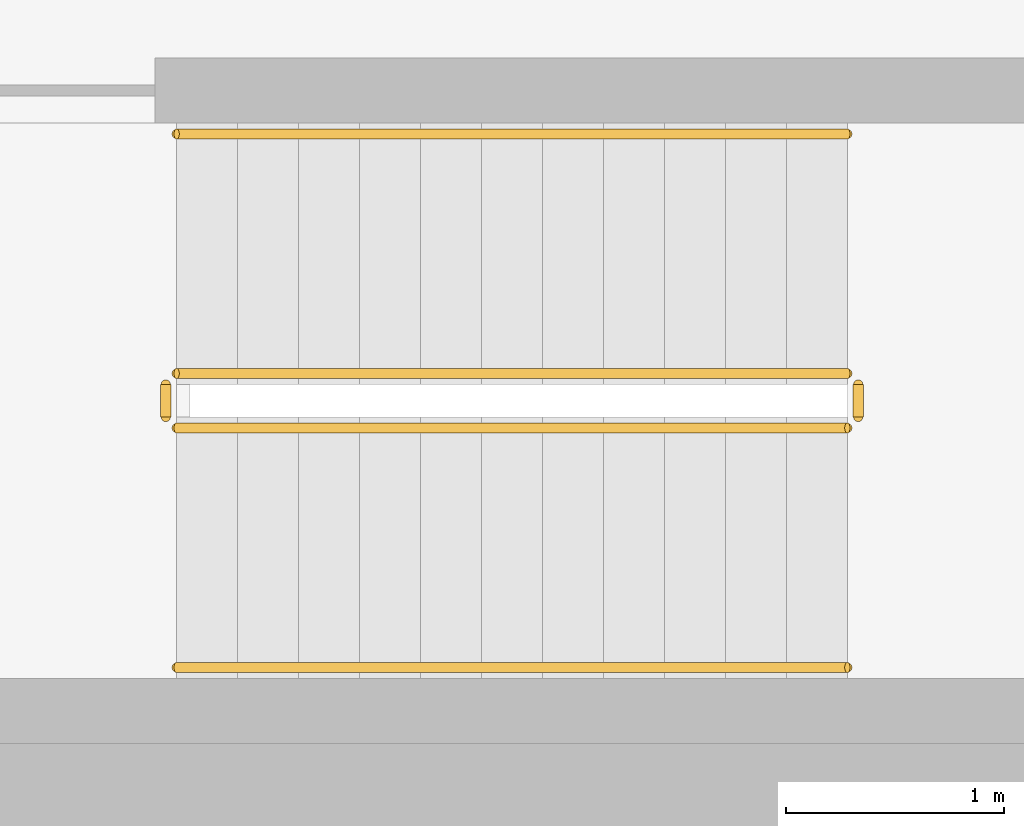
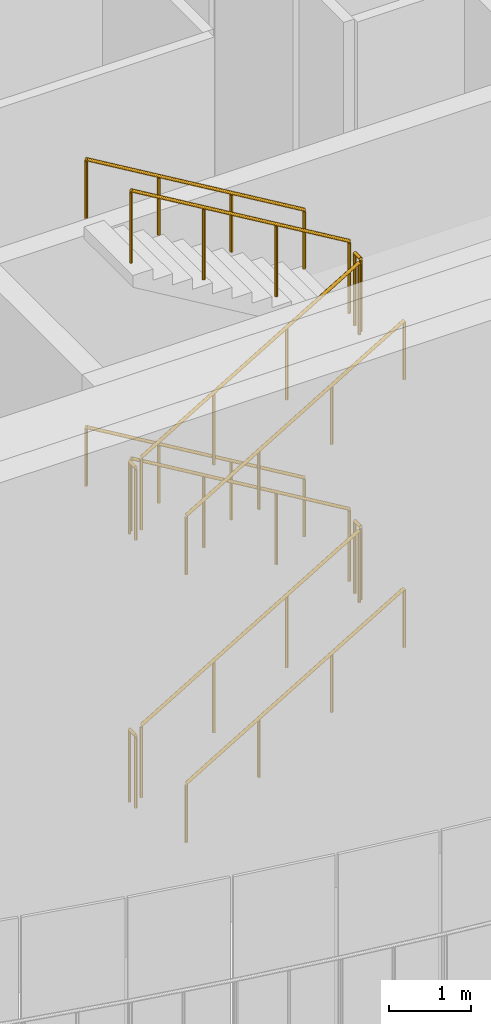
# One storey, part 11 of 14: 12 railings.
"""IFC4 building model written with IfcOpenShell, lengths in metres."""

from ifc_helpers import new_model, si_unit, direction, frame, origin, origin_2d, place, context, subcontext, project, spatial, circle, extrude, material, type_object, element, save


model = new_model("IFC4")

# Units and contexts
model_context = context("Model", 3, precision=1e-05, world=origin(), true_north=direction((0.0, 1.0)))
body_context = subcontext(model_context, "Body", "Model", "MODEL_VIEW")
ifc_project = project(units=[si_unit("LENGTHUNIT", "METRE"), si_unit("AREAUNIT", "SQUARE_METRE"), si_unit("VOLUMEUNIT", "CUBIC_METRE"), si_unit("PLANEANGLEUNIT", "RADIAN"), si_unit("MASSUNIT", "GRAM", prefix="KILO")], contexts=[model_context])

# Site, building, storey
site_placement = place(None, origin())
site = spatial("IfcSite", under=ifc_project, at=site_placement, CompositionType="ELEMENT")
building_placement = place(site_placement, origin())
building = spatial("IfcBuilding", under=site, at=building_placement, Name="Brevane Broadcast Tower", CompositionType="ELEMENT")
storey_placement = place(building_placement, frame((0.0, 0.0, 256.199951171875)))
storey = spatial("IfcBuildingStorey", under=building, at=storey_placement, Name="L65", CompositionType="ELEMENT", Elevation=256.199951171875)

# Railings
ifc_material = material(Name="Steel S355", Category="steel")
railing_type_1 = type_object("IfcRailingType", Name="Exit stair guard", PredefinedType="GUARDRAIL", material=ifc_material)
railing_1_placement = place(storey_placement, frame((17.300048828125, 2.64990234375, 0.166748046875)))
element("IfcRailing", 1, at=railing_1_placement, inside=storey, type_object=railing_type_1, Name="L65 ST-2 stair guard 1", PredefinedType="GUARDRAIL", context=body_context, shape_type="SweptSolid", body=[
    extrude(circle(Radius=0.02392578125, at=origin_2d()), frame((0.0, 0.0, 1.076171875), z_axis=(0.859290745958, 0.0, 0.51148745235), x_axis=(0.0, 1.0, 0.0)), (0.0, 0.0, 1.0), 3.584228515625),
    extrude(circle(Radius=0.02099609375, at=origin_2d()), origin(), (0.0, 0.0, 1.0), 1.052001953125),
    extrude(circle(Radius=0.02099609375, at=origin_2d()), frame((1.026611328125, 0.0, 0.611083984375)), (0.0, 0.0, 1.0), 1.052001953125),
    extrude(circle(Radius=0.02099609375, at=origin_2d()), frame((2.05322265625, 0.0, 1.22216796875)), (0.0, 0.0, 1.0), 1.052001953125),
    extrude(circle(Radius=0.02099609375, at=origin_2d()), frame((3.079833984375, 0.0, 1.833251953125)), (0.0, 0.0, 1.0), 1.052001953125),
])
railing_2_placement = place(storey_placement, frame((20.429931640625, 2.699951171875, 2.0)))
element("IfcRailing", 2, at=railing_2_placement, inside=storey, type_object=railing_type_1, Name="L65 ST-2 stair guard 2", PredefinedType="GUARDRAIL", context=body_context, shape_type="SweptSolid", body=[
    extrude(circle(Radius=0.02392578125, at=origin_2d()), frame((0.0, 0.0, 1.076171875), z_axis=(0.0, 1.0, 0.0), x_axis=(-1.0, 0.0, 0.0)), (0.0, 0.0, 1.0), 0.150146484375),
    extrude(circle(Radius=0.02099609375, at=origin_2d()), origin(), (0.0, 0.0, 1.0), 1.052001953125),
    extrude(circle(Radius=0.02099609375, at=origin_2d()), frame((0.0, 0.150146484375, 0.0)), (0.0, 0.0, 1.0), 1.052001953125),
])
railing_3_placement = place(storey_placement, frame((20.3798828125, 2.89990234375, 2.166748046875)))
element("IfcRailing", 3, at=railing_3_placement, inside=storey, type_object=railing_type_1, Name="L65 ST-2 stair guard 3", PredefinedType="GUARDRAIL", context=body_context, shape_type="SweptSolid", body=[
    extrude(circle(Radius=0.02392578125, at=origin_2d()), frame((0.0, 0.0, 1.076171875), z_axis=(-0.859290745958, 0.0, 0.51148745235), x_axis=(0.0, -1.0, 0.0)), (0.0, 0.0, 1.0), 3.584228515625),
    extrude(circle(Radius=0.02099609375, at=origin_2d()), origin(), (0.0, 0.0, 1.0), 1.052001953125),
    extrude(circle(Radius=0.02099609375, at=origin_2d()), frame((-1.026611328125, 0.0, 0.611083984375)), (0.0, 0.0, 1.0), 1.052001953125),
    extrude(circle(Radius=0.02099609375, at=origin_2d()), frame((-2.05322265625, 0.0, 1.22216796875)), (0.0, 0.0, 1.0), 1.052001953125),
    extrude(circle(Radius=0.02099609375, at=origin_2d()), frame((-3.079833984375, 0.0, 1.833251953125)), (0.0, 0.0, 1.0), 1.052001953125),
])
railing_4_placement = place(storey_placement, frame((17.25, 2.699951171875, 4.0)))
element("IfcRailing", 4, at=railing_4_placement, inside=storey, type_object=railing_type_1, Name="L65 ST-2 stair guard 4", PredefinedType="GUARDRAIL", context=body_context, shape_type="SweptSolid", body=[
    extrude(circle(Radius=0.02392578125, at=origin_2d()), frame((0.0, 0.0, 1.076171875), z_axis=(0.0, 1.0, 0.0), x_axis=(-1.0, 0.0, 0.0)), (0.0, 0.0, 1.0), 0.150146484375),
    extrude(circle(Radius=0.02099609375, at=origin_2d()), origin(), (0.0, 0.0, 1.0), 1.052001953125),
    extrude(circle(Radius=0.02099609375, at=origin_2d()), frame((0.0, 0.150146484375, 0.0)), (0.0, 0.0, 1.0), 1.052001953125),
])
railing_5_placement = place(storey_placement, frame((17.300048828125, 2.64990234375, 4.166748046875)))
element("IfcRailing", 5, at=railing_5_placement, inside=storey, type_object=railing_type_1, Name="L65 ST-2 stair guard 5", PredefinedType="GUARDRAIL", context=body_context, shape_type="SweptSolid", body=[
    extrude(circle(Radius=0.02392578125, at=origin_2d()), frame((0.0, 0.0, 1.076171875), z_axis=(0.859290745958, 0.0, 0.51148745235), x_axis=(0.0, 1.0, 0.0)), (0.0, 0.0, 1.0), 3.584228515625),
    extrude(circle(Radius=0.02099609375, at=origin_2d()), origin(), (0.0, 0.0, 1.0), 1.052001953125),
    extrude(circle(Radius=0.02099609375, at=origin_2d()), frame((1.026611328125, 0.0, 0.611083984375)), (0.0, 0.0, 1.0), 1.052001953125),
    extrude(circle(Radius=0.02099609375, at=origin_2d()), frame((2.05322265625, 0.0, 1.22216796875)), (0.0, 0.0, 1.0), 1.052001953125),
    extrude(circle(Radius=0.02099609375, at=origin_2d()), frame((3.079833984375, 0.0, 1.833251953125)), (0.0, 0.0, 1.0), 1.052001953125),
])
railing_6_placement = place(storey_placement, frame((20.429931640625, 2.699951171875, 6.0)))
element("IfcRailing", 6, at=railing_6_placement, inside=storey, type_object=railing_type_1, Name="L65 ST-2 stair guard 6", PredefinedType="GUARDRAIL", context=body_context, shape_type="SweptSolid", body=[
    extrude(circle(Radius=0.02392578125, at=origin_2d()), frame((0.0, 0.0, 1.076171875), z_axis=(0.0, 1.0, 0.0), x_axis=(-1.0, 0.0, 0.0)), (0.0, 0.0, 1.0), 0.150146484375),
    extrude(circle(Radius=0.02099609375, at=origin_2d()), origin(), (0.0, 0.0, 1.0), 1.052001953125),
    extrude(circle(Radius=0.02099609375, at=origin_2d()), frame((0.0, 0.150146484375, 0.0)), (0.0, 0.0, 1.0), 1.052001953125),
])
railing_7_placement = place(storey_placement, frame((20.3798828125, 2.89990234375, 6.166748046875)))
element("IfcRailing", 7, at=railing_7_placement, inside=storey, type_object=railing_type_1, Name="L65 ST-2 stair guard 7", PredefinedType="GUARDRAIL", context=body_context, shape_type="SweptSolid", body=[
    extrude(circle(Radius=0.02392578125, at=origin_2d()), frame((0.0, 0.0, 1.076171875), z_axis=(-0.859290745958, 0.0, 0.51148745235), x_axis=(0.0, -1.0, 0.0)), (0.0, 0.0, 1.0), 3.584228515625),
    extrude(circle(Radius=0.02099609375, at=origin_2d()), origin(), (0.0, 0.0, 1.0), 1.052001953125),
    extrude(circle(Radius=0.02099609375, at=origin_2d()), frame((-1.026611328125, 0.0, 0.611083984375)), (0.0, 0.0, 1.0), 1.052001953125),
    extrude(circle(Radius=0.02099609375, at=origin_2d()), frame((-2.05322265625, 0.0, 1.22216796875)), (0.0, 0.0, 1.0), 1.052001953125),
    extrude(circle(Radius=0.02099609375, at=origin_2d()), frame((-3.079833984375, 0.0, 1.833251953125)), (0.0, 0.0, 1.0), 1.052001953125),
])
railing_8_placement = place(storey_placement, frame((17.25, 2.699951171875, 0.0)))
element("IfcRailing", 8, at=railing_8_placement, inside=storey, type_object=railing_type_1, Name="L65 ST-2 stair guard 8", PredefinedType="GUARDRAIL", context=body_context, shape_type="SweptSolid", body=[
    extrude(circle(Radius=0.02392578125, at=origin_2d()), frame((0.0, 0.0, 1.076171875), z_axis=(0.0, 1.0, 0.0), x_axis=(-1.0, 0.0, 0.0)), (0.0, 0.0, 1.0), 0.150146484375),
    extrude(circle(Radius=0.02099609375, at=origin_2d()), origin(), (0.0, 0.0, 1.0), 1.052001953125),
    extrude(circle(Radius=0.02099609375, at=origin_2d()), frame((0.0, 0.150146484375, 0.0)), (0.0, 0.0, 1.0), 1.052001953125),
])
railing_type_2 = type_object("IfcRailingType", Name="Exit stair handrail", PredefinedType="HANDRAIL", material=ifc_material)
railing_9_placement = place(storey_placement, frame((17.300048828125, 1.550048828125, 0.166748046875)))
element("IfcRailing", 9, at=railing_9_placement, inside=storey, type_object=railing_type_2, Name="L65 ST-2 stair handrail 1", PredefinedType="HANDRAIL", context=body_context, shape_type="SweptSolid", body=[
    extrude(circle(Radius=0.02392578125, at=origin_2d()), frame((0.0, 0.0, 0.8759765625), z_axis=(0.859290745958, 0.0, 0.51148745235), x_axis=(0.0, 1.0, 0.0)), (0.0, 0.0, 1.0), 3.584228515625),
    extrude(circle(Radius=0.02099609375, at=origin_2d()), origin(), (0.0, 0.0, 1.0), 0.851806640625),
    extrude(circle(Radius=0.02099609375, at=origin_2d()), frame((1.026611328125, 0.0, 0.611083984375)), (0.0, 0.0, 1.0), 0.851806640625),
    extrude(circle(Radius=0.02099609375, at=origin_2d()), frame((2.05322265625, 0.0, 1.22216796875)), (0.0, 0.0, 1.0), 0.851806640625),
    extrude(circle(Radius=0.02099609375, at=origin_2d()), frame((3.079833984375, 0.0, 1.833251953125)), (0.0, 0.0, 1.0), 0.851806640625),
])
railing_10_placement = place(storey_placement, frame((20.3798828125, 4.0, 2.166748046875)))
element("IfcRailing", 10, at=railing_10_placement, inside=storey, type_object=railing_type_2, Name="L65 ST-2 stair handrail 2", PredefinedType="HANDRAIL", context=body_context, shape_type="SweptSolid", body=[
    extrude(circle(Radius=0.02392578125, at=origin_2d()), frame((0.0, 0.0, 0.8759765625), z_axis=(-0.859290745958, 0.0, 0.51148745235), x_axis=(0.0, -1.0, 0.0)), (0.0, 0.0, 1.0), 3.584228515625),
    extrude(circle(Radius=0.02099609375, at=origin_2d()), origin(), (0.0, 0.0, 1.0), 0.851806640625),
    extrude(circle(Radius=0.02099609375, at=origin_2d()), frame((-1.026611328125, 0.0, 0.611083984375)), (0.0, 0.0, 1.0), 0.851806640625),
    extrude(circle(Radius=0.02099609375, at=origin_2d()), frame((-2.05322265625, 0.0, 1.22216796875)), (0.0, 0.0, 1.0), 0.851806640625),
    extrude(circle(Radius=0.02099609375, at=origin_2d()), frame((-3.079833984375, 0.0, 1.833251953125)), (0.0, 0.0, 1.0), 0.851806640625),
])
railing_11_placement = place(storey_placement, frame((17.300048828125, 1.550048828125, 4.166748046875)))
element("IfcRailing", 11, at=railing_11_placement, inside=storey, type_object=railing_type_2, Name="L65 ST-2 stair handrail 3", PredefinedType="HANDRAIL", context=body_context, shape_type="SweptSolid", body=[
    extrude(circle(Radius=0.02392578125, at=origin_2d()), frame((0.0, 0.0, 0.8759765625), z_axis=(0.859290745958, 0.0, 0.51148745235), x_axis=(0.0, 1.0, 0.0)), (0.0, 0.0, 1.0), 3.584228515625),
    extrude(circle(Radius=0.02099609375, at=origin_2d()), origin(), (0.0, 0.0, 1.0), 0.851806640625),
    extrude(circle(Radius=0.02099609375, at=origin_2d()), frame((1.026611328125, 0.0, 0.611083984375)), (0.0, 0.0, 1.0), 0.851806640625),
    extrude(circle(Radius=0.02099609375, at=origin_2d()), frame((2.05322265625, 0.0, 1.22216796875)), (0.0, 0.0, 1.0), 0.851806640625),
    extrude(circle(Radius=0.02099609375, at=origin_2d()), frame((3.079833984375, 0.0, 1.833251953125)), (0.0, 0.0, 1.0), 0.851806640625),
])
railing_12_placement = place(storey_placement, frame((20.3798828125, 4.0, 6.166748046875)))
element("IfcRailing", 12, at=railing_12_placement, inside=storey, type_object=railing_type_2, Name="L65 ST-2 stair handrail 4", PredefinedType="HANDRAIL", context=body_context, shape_type="SweptSolid", body=[
    extrude(circle(Radius=0.02392578125, at=origin_2d()), frame((0.0, 0.0, 0.8759765625), z_axis=(-0.859290745958, 0.0, 0.51148745235), x_axis=(0.0, -1.0, 0.0)), (0.0, 0.0, 1.0), 3.584228515625),
    extrude(circle(Radius=0.02099609375, at=origin_2d()), origin(), (0.0, 0.0, 1.0), 0.851806640625),
    extrude(circle(Radius=0.02099609375, at=origin_2d()), frame((-1.026611328125, 0.0, 0.611083984375)), (0.0, 0.0, 1.0), 0.851806640625),
    extrude(circle(Radius=0.02099609375, at=origin_2d()), frame((-2.05322265625, 0.0, 1.22216796875)), (0.0, 0.0, 1.0), 0.851806640625),
    extrude(circle(Radius=0.02099609375, at=origin_2d()), frame((-3.079833984375, 0.0, 1.833251953125)), (0.0, 0.0, 1.0), 0.851806640625),
])

save(model, "model.ifc")
